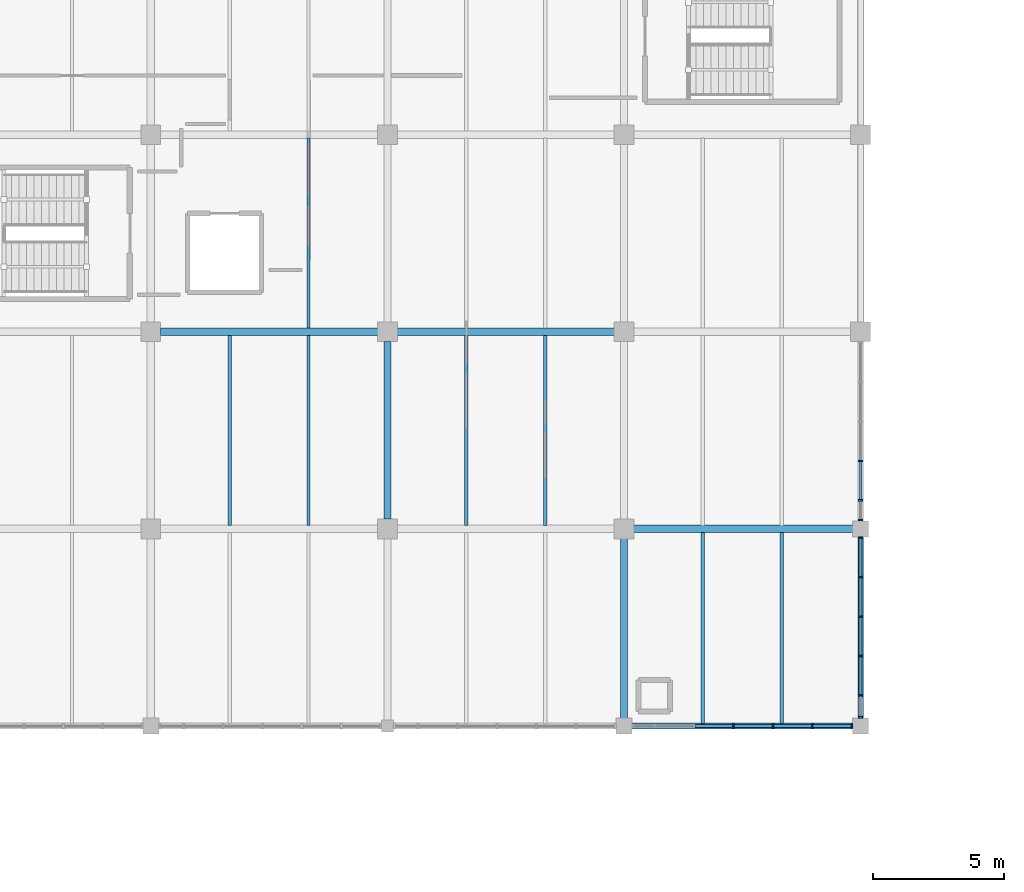
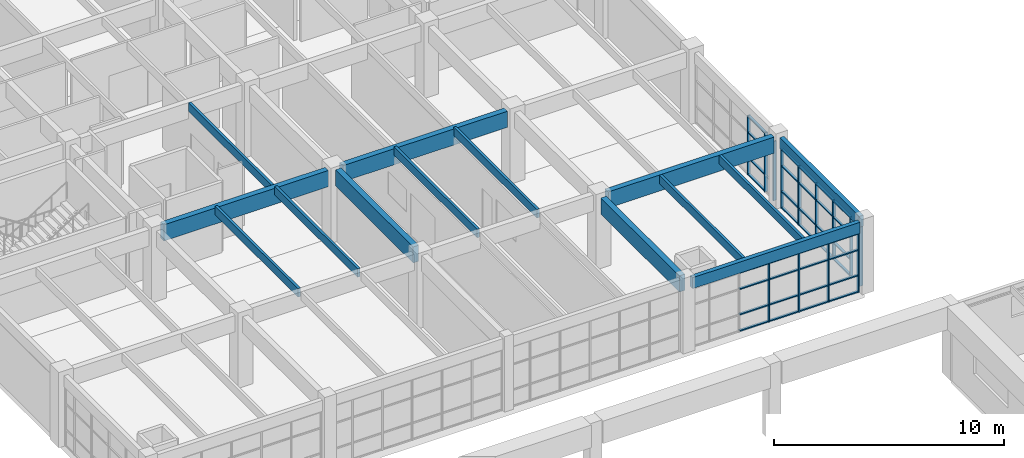
# One storey, part 24 of 76: 49 members, 14 beams, 3 elements without a shape of their own.
"""IFC4 building model written with IfcOpenShell, lengths in metres."""

from ifc_helpers import new_model, si_unit, direction, frame, origin, origin_2d, place, context, subcontext, project, spatial, rectangle, extrude, material, layer, layer_set, material_profile, profile_set, type_object, element, aggregate, save


model = new_model("IFC4")

# Units and contexts
model_context = context("Model", 3, precision=1e-05, world=origin(), true_north=direction((0.0, 1.0)))
body_context = subcontext(model_context, "Body", "Model", "MODEL_VIEW")
ifc_project = project(units=[si_unit("LENGTHUNIT", "METRE"), si_unit("AREAUNIT", "SQUARE_METRE"), si_unit("VOLUMEUNIT", "CUBIC_METRE"), si_unit("PLANEANGLEUNIT", "RADIAN"), si_unit("MASSUNIT", "GRAM", prefix="KILO")], contexts=[model_context])

# Site, building, storey
site_placement = place(None, origin())
site = spatial("IfcSite", under=ifc_project, at=site_placement, CompositionType="ELEMENT")
building_placement = place(site_placement, origin())
building = spatial("IfcBuilding", under=site, at=building_placement, Name="Marnridge Secondary College", CompositionType="ELEMENT")
storey_placement = place(building_placement, frame((0.0, 0.0, 4.5)))
storey = spatial("IfcBuildingStorey", under=building, at=storey_placement, Name="L01", CompositionType="ELEMENT", Elevation=4.5)

# Beams
ifc_material_1 = material(Name="Glulam timber GL18", Category="wood")
ifc_material_profile_1 = material_profile(ifc_material_1, rectangle(XDim=0.215087890625, YDim=0.5849609375, at=origin_2d()), Name="GL18 215x585")
ifc_profile_set_1 = profile_set([ifc_material_profile_1], Name="Glulam timber GL18")
beam_type_1 = type_object("IfcBeamType", Name="BM-GL585-EXT", PredefinedType="SPANDREL", material=ifc_profile_set_1)
beam_1_placement = place(storey_placement, frame((81.2939453125, 37.5, 3.447509765625), z_axis=(1.0, 0.0, 0.0), x_axis=(0.0, 1.0, 0.0)))
element("IfcBeam", 1, at=beam_1_placement, inside=storey, type_object=beam_type_1, Name="Beam BS-L01-0453", PredefinedType="SPANDREL", context=body_context, shape_type="SweptSolid", body=[
    extrude(rectangle(XDim=0.215087890625, YDim=0.5849609375, at=origin_2d()), origin(), (0.0, 0.0, 1.0), 8.412109375),
])
beam_2_placement = place(storey_placement, frame((90.0, 37.7939453125, 3.447509765625), z_axis=(0.0, 1.0, 0.0), x_axis=(-1.0, 0.0, 0.0)))
element("IfcBeam", 2, at=beam_2_placement, inside=storey, type_object=beam_type_1, Name="Beam BS-L01-0456", PredefinedType="SPANDREL", context=body_context, shape_type="SweptSolid", body=[
    extrude(rectangle(XDim=0.215087890625, YDim=0.5849609375, at=origin_2d()), origin(), (0.0, 0.0, 1.0), 6.912109375),
])
ifc_material_2 = material(Name="Glulam timber GL18", Category="wood")
ifc_material_profile_2 = material_profile(ifc_material_2, rectangle(XDim=0.280029296875, YDim=0.85498046875, at=origin_2d()), Name="GL18 280x855")
ifc_profile_set_2 = profile_set([ifc_material_profile_2], Name="Glulam timber GL18")
beam_type_2 = type_object("IfcBeamType", Name="BM-GL855-INT", PredefinedType="BEAM", material=ifc_profile_set_2)
for number, where, z_axis, x_axis, name in (
    (3, (63.368896484375, 52.5, 3.3125), (1.0, 0.0, 0.0), (0.0, 1.0, 0.0), "Beam B-L01-0435"),
    (4, (72.368896484375, 52.5, 3.3125), (1.0, 0.0, 0.0), (0.0, 1.0, 0.0), "Beam B-L01-0444"),
):
    element("IfcBeam", number, at=place(storey_placement, frame(where, z_axis=z_axis, x_axis=x_axis)), inside=storey, type_object=beam_type_2, Name=name, PredefinedType="BEAM", context=body_context, shape_type="SweptSolid", body=[
        extrude(rectangle(XDim=0.280029296875, YDim=0.85498046875, at=origin_2d()), origin(), (0.0, 0.0, 1.0), 8.26220703125),
    ])
beam_3_placement = place(storey_placement, frame((81.368896484375, 45.0, 3.3125), z_axis=(1.0, 0.0, 0.0), x_axis=(0.0, 1.0, 0.0)))
element("IfcBeam", 5, at=beam_3_placement, inside=storey, type_object=beam_type_2, Name="Beam B-L01-0454", PredefinedType="BEAM", context=body_context, shape_type="SweptSolid", body=[
    extrude(rectangle(XDim=0.280029296875, YDim=0.85498046875, at=origin_2d()), origin(), (0.0, 0.0, 1.0), 8.337158203125),
])
beam_4_placement = place(storey_placement, frame((81.0, 37.7939453125, 3.3125), z_axis=(0.0, 1.0, 0.0), x_axis=(-1.0, 0.0, 0.0)))
element("IfcBeam", 6, at=beam_4_placement, inside=storey, type_object=beam_type_2, Name="Beam B-L01-0455", PredefinedType="BEAM", context=body_context, shape_type="SweptSolid", body=[
    extrude(rectangle(XDim=0.280029296875, YDim=0.85498046875, at=origin_2d()), origin(), (0.0, 0.0, 1.0), 6.837158203125),
])
beam_5_placement = place(storey_placement, frame((72.0, 45.368896484375, 3.41259765625), z_axis=(0.0, 1.0, 0.0), x_axis=(-1.0, 0.0, 0.0)))
element("IfcBeam", 7, at=beam_5_placement, inside=storey, type_object=beam_type_2, Name="Beam B-L01-0471", PredefinedType="BEAM", context=body_context, shape_type="SweptSolid", body=[
    extrude(rectangle(XDim=0.280029296875, YDim=0.85498046875, at=origin_2d()), origin(), (0.0, 0.0, 1.0), 6.76220703125),
])
ifc_material_3 = material(Name="Engineered timber LVL E13.2", Category="wood")
ifc_material_profile_3 = material_profile(ifc_material_3, rectangle(XDim=0.1259765625, YDim=0.449951171875, at=origin_2d()), Name="LVL 126x450")
ifc_profile_set_3 = profile_set([ifc_material_profile_3], Name="Engineered timber LVL E13.2")
beam_type_3 = type_object("IfcBeamType", Name="BM-LVL450-INT", PredefinedType="JOIST", material=ifc_profile_set_3)
beam_6_placement = place(storey_placement, frame((69.0, 52.634033203125, 3.514892578125), z_axis=(0.0, 1.0, 0.0), x_axis=(-1.0, 0.0, 0.0)))
element("IfcBeam", 8, at=beam_6_placement, inside=storey, type_object=beam_type_3, Name="Beam BJ-L01-0484", PredefinedType="JOIST", context=body_context, shape_type="SweptSolid", body=[
    extrude(rectangle(XDim=0.1259765625, YDim=0.449951171875, at=origin_2d()), origin(), (0.0, 0.0, 1.0), 7.23193359375),
])
for number, where, z_axis, x_axis, name in (
    (9, (84.0, 37.6015625, 3.514892578125), (0.0, 1.0, 0.0), (-1.0, 0.0, 0.0), "Beam BJ-L01-0499"),
    (10, (87.0, 37.6015625, 3.514892578125), (0.0, 1.0, 0.0), (-1.0, 0.0, 0.0), "Beam BJ-L01-0500"),
):
    element("IfcBeam", number, at=place(storey_placement, frame(where, z_axis=z_axis, x_axis=x_axis)), inside=storey, type_object=beam_type_3, Name=name, PredefinedType="JOIST", context=body_context, shape_type="SweptSolid", body=[
        extrude(rectangle(XDim=0.1259765625, YDim=0.449951171875, at=origin_2d()), origin(), (0.0, 0.0, 1.0), 7.264404296875),
    ])
for number, where, z_axis, x_axis, name in (
    (11, (66.0, 45.134033203125, 3.614990234375), (0.0, 1.0, 0.0), (-1.0, 0.0, 0.0), "Beam BJ-L01-0511"),
    (12, (69.0, 45.134033203125, 3.614990234375), (0.0, 1.0, 0.0), (-1.0, 0.0, 0.0), "Beam BJ-L01-0512"),
    (13, (75.0, 45.134033203125, 3.614990234375), (0.0, 1.0, 0.0), (-1.0, 0.0, 0.0), "Beam BJ-L01-0515"),
    (14, (78.0, 45.134033203125, 3.614990234375), (0.0, 1.0, 0.0), (-1.0, 0.0, 0.0), "Beam BJ-L01-0516"),
):
    element("IfcBeam", number, at=place(storey_placement, frame(where, z_axis=z_axis, x_axis=x_axis)), inside=storey, type_object=beam_type_3, Name=name, PredefinedType="JOIST", context=body_context, shape_type="SweptSolid", body=[
        extrude(rectangle(XDim=0.1259765625, YDim=0.449951171875, at=origin_2d()), origin(), (0.0, 0.0, 1.0), 7.23193359375),
    ])

# Curtain wall, members
ifc_material_4 = material(Name="Thermally broken aluminium and low-E glazing", Category="aluminium")
ifc_layer = layer(ifc_material_4, 0.159912109375)
ifc_layer_set = layer_set([ifc_layer], Name="CW-MOD-1500")
curtain_wall_type = type_object("IfcCurtainWallType", Name="CW-MOD-1500", PredefinedType="NOTDEFINED", material=ifc_layer_set)
curtain_wall_1_placement = place(storey_placement, origin())
curtain_wall_1 = element("IfcCurtainWall", 15, at=curtain_wall_1_placement, inside=storey, type_object=curtain_wall_type, Name="Unitised curtain wall CW-L01-033", PredefinedType="NOTDEFINED")
ifc_material_5 = material(Name="Anodised aluminium 6063-T6", Category="aluminium")
ifc_material_profile_4 = material_profile(ifc_material_5, rectangle(XDim=0.06005859375, YDim=0.159912109375, at=origin_2d()), Name="ALU 60x160")
ifc_profile_set_4 = profile_set([ifc_material_profile_4], Name="Anodised aluminium 6063-T6")
member_type_1 = type_object("IfcMemberType", Name="CWM-ALU160", PredefinedType="MULLION", material=ifc_profile_set_4)
member_1_placement = place(storey_placement, frame((90.0, 47.591064453125, 0.0), z_axis=(0.0, 0.0, 1.0), x_axis=(0.0, -1.0, 0.0)))
member_1 = element("IfcMember", 16, at=member_1_placement, type_object=member_type_1, Name="CW-L01-033 mullion 4", PredefinedType="MULLION", context=body_context, shape_type="SweptSolid", body=[
    extrude(rectangle(XDim=0.06005859375, YDim=0.159912109375, at=origin_2d()), origin(), (0.0, 0.0, 1.0), 3.14697265625),
])
member_2_placement = place(storey_placement, frame((90.0, 46.091064453125, 0.0), z_axis=(0.0, 0.0, 1.0), x_axis=(0.0, -1.0, 0.0)))
member_2 = element("IfcMember", 17, at=member_2_placement, type_object=member_type_1, Name="CW-L01-033 mullion 5", PredefinedType="MULLION", context=body_context, shape_type="SweptSolid", body=[
    extrude(rectangle(XDim=0.06005859375, YDim=0.159912109375, at=origin_2d()), origin(), (0.0, 0.0, 1.0), 3.14697265625),
])
member_3_placement = place(storey_placement, frame((90.0, 45.333984375, 0.0), z_axis=(0.0, 0.0, 1.0), x_axis=(0.0, -1.0, 0.0)))
member_3 = element("IfcMember", 18, at=member_3_placement, type_object=member_type_1, Name="CW-L01-033 mullion 6", PredefinedType="MULLION", context=body_context, shape_type="SweptSolid", body=[
    extrude(rectangle(XDim=0.06005859375, YDim=0.159912109375, at=origin_2d()), origin(), (0.0, 0.0, 1.0), 3.14697265625),
])

curtain_wall_2_placement = place(storey_placement, origin())
curtain_wall_2 = element("IfcCurtainWall", 19, at=curtain_wall_2_placement, inside=storey, type_object=curtain_wall_type, Name="Unitised curtain wall CW-L01-034", PredefinedType="NOTDEFINED")
member_4_placement = place(storey_placement, frame((90.0, 44.666015625, 0.0), z_axis=(0.0, 0.0, 1.0), x_axis=(0.0, -1.0, 0.0)))
member_4 = element("IfcMember", 20, at=member_4_placement, type_object=member_type_1, Name="CW-L01-034 mullion 1", PredefinedType="MULLION", context=body_context, shape_type="SweptSolid", body=[
    extrude(rectangle(XDim=0.06005859375, YDim=0.159912109375, at=origin_2d()), origin(), (0.0, 0.0, 1.0), 3.14697265625),
])
member_5_placement = place(storey_placement, frame((90.0, 43.166015625, 0.0), z_axis=(0.0, 0.0, 1.0), x_axis=(0.0, -1.0, 0.0)))
member_5 = element("IfcMember", 21, at=member_5_placement, type_object=member_type_1, Name="CW-L01-034 mullion 2", PredefinedType="MULLION", context=body_context, shape_type="SweptSolid", body=[
    extrude(rectangle(XDim=0.06005859375, YDim=0.159912109375, at=origin_2d()), origin(), (0.0, 0.0, 1.0), 3.14697265625),
])
member_6_placement = place(storey_placement, frame((90.0, 41.666015625, 0.0), z_axis=(0.0, 0.0, 1.0), x_axis=(0.0, -1.0, 0.0)))
member_6 = element("IfcMember", 22, at=member_6_placement, type_object=member_type_1, Name="CW-L01-034 mullion 3", PredefinedType="MULLION", context=body_context, shape_type="SweptSolid", body=[
    extrude(rectangle(XDim=0.06005859375, YDim=0.159912109375, at=origin_2d()), origin(), (0.0, 0.0, 1.0), 3.14697265625),
])
member_7_placement = place(storey_placement, frame((90.0, 40.166015625, 0.0), z_axis=(0.0, 0.0, 1.0), x_axis=(0.0, -1.0, 0.0)))
member_7 = element("IfcMember", 23, at=member_7_placement, type_object=member_type_1, Name="CW-L01-034 mullion 4", PredefinedType="MULLION", context=body_context, shape_type="SweptSolid", body=[
    extrude(rectangle(XDim=0.06005859375, YDim=0.159912109375, at=origin_2d()), origin(), (0.0, 0.0, 1.0), 3.14697265625),
])
member_8_placement = place(storey_placement, frame((90.0, 38.666015625, 0.0), z_axis=(0.0, 0.0, 1.0), x_axis=(0.0, -1.0, 0.0)))
member_8 = element("IfcMember", 24, at=member_8_placement, type_object=member_type_1, Name="CW-L01-034 mullion 5", PredefinedType="MULLION", context=body_context, shape_type="SweptSolid", body=[
    extrude(rectangle(XDim=0.06005859375, YDim=0.159912109375, at=origin_2d()), origin(), (0.0, 0.0, 1.0), 3.14697265625),
])
member_9_placement = place(storey_placement, frame((90.0, 37.833984375, 0.0), z_axis=(0.0, 0.0, 1.0), x_axis=(0.0, -1.0, 0.0)))
member_9 = element("IfcMember", 25, at=member_9_placement, type_object=member_type_1, Name="CW-L01-034 mullion 6", PredefinedType="MULLION", context=body_context, shape_type="SweptSolid", body=[
    extrude(rectangle(XDim=0.06005859375, YDim=0.159912109375, at=origin_2d()), origin(), (0.0, 0.0, 1.0), 3.14697265625),
])

curtain_wall_3_placement = place(storey_placement, origin())
curtain_wall_3 = element("IfcCurtainWall", 26, at=curtain_wall_3_placement, inside=storey, type_object=curtain_wall_type, Name="Unitised curtain wall CW-L01-035", PredefinedType="NOTDEFINED")
member_10_placement = place(storey_placement, frame((89.666015625, 37.5, 0.0), z_axis=(0.0, 0.0, 1.0), x_axis=(-1.0, 0.0, 0.0)))
member_10 = element("IfcMember", 27, at=member_10_placement, type_object=member_type_1, Name="CW-L01-035 mullion 1", PredefinedType="MULLION", context=body_context, shape_type="SweptSolid", body=[
    extrude(rectangle(XDim=0.06005859375, YDim=0.159912109375, at=origin_2d()), origin(), (0.0, 0.0, 1.0), 3.14697265625),
])
member_11_placement = place(storey_placement, frame((88.166015625, 37.5, 0.0), z_axis=(0.0, 0.0, 1.0), x_axis=(-1.0, 0.0, 0.0)))
member_11 = element("IfcMember", 28, at=member_11_placement, type_object=member_type_1, Name="CW-L01-035 mullion 2", PredefinedType="MULLION", context=body_context, shape_type="SweptSolid", body=[
    extrude(rectangle(XDim=0.06005859375, YDim=0.159912109375, at=origin_2d()), origin(), (0.0, 0.0, 1.0), 3.14697265625),
])
member_12_placement = place(storey_placement, frame((86.666015625, 37.5, 0.0), z_axis=(0.0, 0.0, 1.0), x_axis=(-1.0, 0.0, 0.0)))
member_12 = element("IfcMember", 29, at=member_12_placement, type_object=member_type_1, Name="CW-L01-035 mullion 3", PredefinedType="MULLION", context=body_context, shape_type="SweptSolid", body=[
    extrude(rectangle(XDim=0.06005859375, YDim=0.159912109375, at=origin_2d()), origin(), (0.0, 0.0, 1.0), 3.14697265625),
])
member_13_placement = place(storey_placement, frame((85.166015625, 37.5, 0.0), z_axis=(0.0, 0.0, 1.0), x_axis=(-1.0, 0.0, 0.0)))
member_13 = element("IfcMember", 30, at=member_13_placement, type_object=member_type_1, Name="CW-L01-035 mullion 4", PredefinedType="MULLION", context=body_context, shape_type="SweptSolid", body=[
    extrude(rectangle(XDim=0.06005859375, YDim=0.159912109375, at=origin_2d()), origin(), (0.0, 0.0, 1.0), 3.14697265625),
])

# Member
ifc_material_6 = material(Name="Anodised aluminium 6063-T6", Category="aluminium")
ifc_material_profile_5 = material_profile(ifc_material_6, rectangle(XDim=0.06005859375, YDim=0.1201171875, at=origin_2d()), Name="ALU 60x120")
ifc_profile_set_5 = profile_set([ifc_material_profile_5], Name="Anodised aluminium 6063-T6")
member_type_2 = type_object("IfcMemberType", Name="CWT-ALU120", PredefinedType="USERDEFINED", material=ifc_profile_set_5)
member_14_placement = place(storey_placement, frame((90.0, 47.56103515625, 0.030029296875), z_axis=(0.0, -1.0, 0.0), x_axis=(0.0, 0.0, 1.0)))
member_14 = element("IfcMember", 31, at=member_14_placement, type_object=member_type_2, Name="CW-L01-033 transom 4.1", ObjectType="TRANSOM", PredefinedType="USERDEFINED", context=body_context, shape_type="SweptSolid", body=[
    extrude(rectangle(XDim=0.06005859375, YDim=0.1201171875, at=origin_2d()), origin(), (0.0, 0.0, 1.0), 1.43994140625),
])

member_15_placement = place(storey_placement, frame((90.0, 47.56103515625, 0.89990234375), z_axis=(0.0, -1.0, 0.0), x_axis=(0.0, 0.0, 1.0)))
member_15 = element("IfcMember", 32, at=member_15_placement, type_object=member_type_2, Name="CW-L01-033 transom 4.2", ObjectType="TRANSOM", PredefinedType="USERDEFINED", context=body_context, shape_type="SweptSolid", body=[
    extrude(rectangle(XDim=0.06005859375, YDim=0.1201171875, at=origin_2d()), origin(), (0.0, 0.0, 1.0), 1.43994140625),
])

member_16_placement = place(storey_placement, frame((90.0, 47.56103515625, 2.25), z_axis=(0.0, -1.0, 0.0), x_axis=(0.0, 0.0, 1.0)))
member_16 = element("IfcMember", 33, at=member_16_placement, type_object=member_type_2, Name="CW-L01-033 transom 4.3", ObjectType="TRANSOM", PredefinedType="USERDEFINED", context=body_context, shape_type="SweptSolid", body=[
    extrude(rectangle(XDim=0.06005859375, YDim=0.1201171875, at=origin_2d()), origin(), (0.0, 0.0, 1.0), 1.43994140625),
])

member_17_placement = place(storey_placement, frame((90.0, 47.56103515625, 3.116943359375), z_axis=(0.0, -1.0, 0.0), x_axis=(0.0, 0.0, 1.0)))
member_17 = element("IfcMember", 34, at=member_17_placement, type_object=member_type_2, Name="CW-L01-033 transom 4.4", ObjectType="TRANSOM", PredefinedType="USERDEFINED", context=body_context, shape_type="SweptSolid", body=[
    extrude(rectangle(XDim=0.06005859375, YDim=0.1201171875, at=origin_2d()), origin(), (0.0, 0.0, 1.0), 1.43994140625),
])

aggregate(curtain_wall_1, [member_1, member_2, member_3, member_14, member_15, member_16, member_17])

member_18_placement = place(storey_placement, frame((90.0, 44.635986328125, 0.030029296875), z_axis=(0.0, -1.0, 0.0), x_axis=(0.0, 0.0, 1.0)))
member_18 = element("IfcMember", 35, at=member_18_placement, type_object=member_type_2, Name="CW-L01-034 transom 1.1", ObjectType="TRANSOM", PredefinedType="USERDEFINED", context=body_context, shape_type="SweptSolid", body=[
    extrude(rectangle(XDim=0.06005859375, YDim=0.1201171875, at=origin_2d()), origin(), (0.0, 0.0, 1.0), 1.43994140625),
])

member_19_placement = place(storey_placement, frame((90.0, 44.635986328125, 0.89990234375), z_axis=(0.0, -1.0, 0.0), x_axis=(0.0, 0.0, 1.0)))
member_19 = element("IfcMember", 36, at=member_19_placement, type_object=member_type_2, Name="CW-L01-034 transom 1.2", ObjectType="TRANSOM", PredefinedType="USERDEFINED", context=body_context, shape_type="SweptSolid", body=[
    extrude(rectangle(XDim=0.06005859375, YDim=0.1201171875, at=origin_2d()), origin(), (0.0, 0.0, 1.0), 1.43994140625),
])

member_20_placement = place(storey_placement, frame((90.0, 44.635986328125, 2.25), z_axis=(0.0, -1.0, 0.0), x_axis=(0.0, 0.0, 1.0)))
member_20 = element("IfcMember", 37, at=member_20_placement, type_object=member_type_2, Name="CW-L01-034 transom 1.3", ObjectType="TRANSOM", PredefinedType="USERDEFINED", context=body_context, shape_type="SweptSolid", body=[
    extrude(rectangle(XDim=0.06005859375, YDim=0.1201171875, at=origin_2d()), origin(), (0.0, 0.0, 1.0), 1.43994140625),
])

member_21_placement = place(storey_placement, frame((90.0, 44.635986328125, 3.116943359375), z_axis=(0.0, -1.0, 0.0), x_axis=(0.0, 0.0, 1.0)))
member_21 = element("IfcMember", 38, at=member_21_placement, type_object=member_type_2, Name="CW-L01-034 transom 1.4", ObjectType="TRANSOM", PredefinedType="USERDEFINED", context=body_context, shape_type="SweptSolid", body=[
    extrude(rectangle(XDim=0.06005859375, YDim=0.1201171875, at=origin_2d()), origin(), (0.0, 0.0, 1.0), 1.43994140625),
])

member_22_placement = place(storey_placement, frame((90.0, 43.135986328125, 0.030029296875), z_axis=(0.0, -1.0, 0.0), x_axis=(0.0, 0.0, 1.0)))
member_22 = element("IfcMember", 39, at=member_22_placement, type_object=member_type_2, Name="CW-L01-034 transom 2.1", ObjectType="TRANSOM", PredefinedType="USERDEFINED", context=body_context, shape_type="SweptSolid", body=[
    extrude(rectangle(XDim=0.06005859375, YDim=0.1201171875, at=origin_2d()), origin(), (0.0, 0.0, 1.0), 1.43994140625),
])

member_23_placement = place(storey_placement, frame((90.0, 43.135986328125, 0.89990234375), z_axis=(0.0, -1.0, 0.0), x_axis=(0.0, 0.0, 1.0)))
member_23 = element("IfcMember", 40, at=member_23_placement, type_object=member_type_2, Name="CW-L01-034 transom 2.2", ObjectType="TRANSOM", PredefinedType="USERDEFINED", context=body_context, shape_type="SweptSolid", body=[
    extrude(rectangle(XDim=0.06005859375, YDim=0.1201171875, at=origin_2d()), origin(), (0.0, 0.0, 1.0), 1.43994140625),
])

member_24_placement = place(storey_placement, frame((90.0, 43.135986328125, 2.25), z_axis=(0.0, -1.0, 0.0), x_axis=(0.0, 0.0, 1.0)))
member_24 = element("IfcMember", 41, at=member_24_placement, type_object=member_type_2, Name="CW-L01-034 transom 2.3", ObjectType="TRANSOM", PredefinedType="USERDEFINED", context=body_context, shape_type="SweptSolid", body=[
    extrude(rectangle(XDim=0.06005859375, YDim=0.1201171875, at=origin_2d()), origin(), (0.0, 0.0, 1.0), 1.43994140625),
])

member_25_placement = place(storey_placement, frame((90.0, 43.135986328125, 3.116943359375), z_axis=(0.0, -1.0, 0.0), x_axis=(0.0, 0.0, 1.0)))
member_25 = element("IfcMember", 42, at=member_25_placement, type_object=member_type_2, Name="CW-L01-034 transom 2.4", ObjectType="TRANSOM", PredefinedType="USERDEFINED", context=body_context, shape_type="SweptSolid", body=[
    extrude(rectangle(XDim=0.06005859375, YDim=0.1201171875, at=origin_2d()), origin(), (0.0, 0.0, 1.0), 1.43994140625),
])

member_26_placement = place(storey_placement, frame((90.0, 41.635986328125, 0.030029296875), z_axis=(0.0, -1.0, 0.0), x_axis=(0.0, 0.0, 1.0)))
member_26 = element("IfcMember", 43, at=member_26_placement, type_object=member_type_2, Name="CW-L01-034 transom 3.1", ObjectType="TRANSOM", PredefinedType="USERDEFINED", context=body_context, shape_type="SweptSolid", body=[
    extrude(rectangle(XDim=0.06005859375, YDim=0.1201171875, at=origin_2d()), origin(), (0.0, 0.0, 1.0), 1.43994140625),
])

member_27_placement = place(storey_placement, frame((90.0, 41.635986328125, 0.89990234375), z_axis=(0.0, -1.0, 0.0), x_axis=(0.0, 0.0, 1.0)))
member_27 = element("IfcMember", 44, at=member_27_placement, type_object=member_type_2, Name="CW-L01-034 transom 3.2", ObjectType="TRANSOM", PredefinedType="USERDEFINED", context=body_context, shape_type="SweptSolid", body=[
    extrude(rectangle(XDim=0.06005859375, YDim=0.1201171875, at=origin_2d()), origin(), (0.0, 0.0, 1.0), 1.43994140625),
])

member_28_placement = place(storey_placement, frame((90.0, 41.635986328125, 2.25), z_axis=(0.0, -1.0, 0.0), x_axis=(0.0, 0.0, 1.0)))
member_28 = element("IfcMember", 45, at=member_28_placement, type_object=member_type_2, Name="CW-L01-034 transom 3.3", ObjectType="TRANSOM", PredefinedType="USERDEFINED", context=body_context, shape_type="SweptSolid", body=[
    extrude(rectangle(XDim=0.06005859375, YDim=0.1201171875, at=origin_2d()), origin(), (0.0, 0.0, 1.0), 1.43994140625),
])

member_29_placement = place(storey_placement, frame((90.0, 41.635986328125, 3.116943359375), z_axis=(0.0, -1.0, 0.0), x_axis=(0.0, 0.0, 1.0)))
member_29 = element("IfcMember", 46, at=member_29_placement, type_object=member_type_2, Name="CW-L01-034 transom 3.4", ObjectType="TRANSOM", PredefinedType="USERDEFINED", context=body_context, shape_type="SweptSolid", body=[
    extrude(rectangle(XDim=0.06005859375, YDim=0.1201171875, at=origin_2d()), origin(), (0.0, 0.0, 1.0), 1.43994140625),
])

member_30_placement = place(storey_placement, frame((90.0, 40.135986328125, 0.030029296875), z_axis=(0.0, -1.0, 0.0), x_axis=(0.0, 0.0, 1.0)))
member_30 = element("IfcMember", 47, at=member_30_placement, type_object=member_type_2, Name="CW-L01-034 transom 4.1", ObjectType="TRANSOM", PredefinedType="USERDEFINED", context=body_context, shape_type="SweptSolid", body=[
    extrude(rectangle(XDim=0.06005859375, YDim=0.1201171875, at=origin_2d()), origin(), (0.0, 0.0, 1.0), 1.43994140625),
])

member_31_placement = place(storey_placement, frame((90.0, 40.135986328125, 0.89990234375), z_axis=(0.0, -1.0, 0.0), x_axis=(0.0, 0.0, 1.0)))
member_31 = element("IfcMember", 48, at=member_31_placement, type_object=member_type_2, Name="CW-L01-034 transom 4.2", ObjectType="TRANSOM", PredefinedType="USERDEFINED", context=body_context, shape_type="SweptSolid", body=[
    extrude(rectangle(XDim=0.06005859375, YDim=0.1201171875, at=origin_2d()), origin(), (0.0, 0.0, 1.0), 1.43994140625),
])

member_32_placement = place(storey_placement, frame((90.0, 40.135986328125, 2.25), z_axis=(0.0, -1.0, 0.0), x_axis=(0.0, 0.0, 1.0)))
member_32 = element("IfcMember", 49, at=member_32_placement, type_object=member_type_2, Name="CW-L01-034 transom 4.3", ObjectType="TRANSOM", PredefinedType="USERDEFINED", context=body_context, shape_type="SweptSolid", body=[
    extrude(rectangle(XDim=0.06005859375, YDim=0.1201171875, at=origin_2d()), origin(), (0.0, 0.0, 1.0), 1.43994140625),
])

member_33_placement = place(storey_placement, frame((90.0, 40.135986328125, 3.116943359375), z_axis=(0.0, -1.0, 0.0), x_axis=(0.0, 0.0, 1.0)))
member_33 = element("IfcMember", 50, at=member_33_placement, type_object=member_type_2, Name="CW-L01-034 transom 4.4", ObjectType="TRANSOM", PredefinedType="USERDEFINED", context=body_context, shape_type="SweptSolid", body=[
    extrude(rectangle(XDim=0.06005859375, YDim=0.1201171875, at=origin_2d()), origin(), (0.0, 0.0, 1.0), 1.43994140625),
])

aggregate(curtain_wall_2, [member_4, member_5, member_6, member_7, member_8, member_9, member_18, member_19, member_20, member_21, member_22, member_23, member_24, member_25, member_26, member_27, member_28, member_29, member_30, member_31, member_32, member_33])

member_34_placement = place(storey_placement, frame((89.635986328125, 37.5, 0.030029296875), z_axis=(-1.0, 0.0, 0.0), x_axis=(0.0, 0.0, 1.0)))
member_34 = element("IfcMember", 51, at=member_34_placement, type_object=member_type_2, Name="CW-L01-035 transom 1.1", ObjectType="TRANSOM", PredefinedType="USERDEFINED", context=body_context, shape_type="SweptSolid", body=[
    extrude(rectangle(XDim=0.06005859375, YDim=0.1201171875, at=origin_2d()), origin(), (0.0, 0.0, 1.0), 1.43994140625),
])

member_35_placement = place(storey_placement, frame((89.635986328125, 37.5, 0.89990234375), z_axis=(-1.0, 0.0, 0.0), x_axis=(0.0, 0.0, 1.0)))
member_35 = element("IfcMember", 52, at=member_35_placement, type_object=member_type_2, Name="CW-L01-035 transom 1.2", ObjectType="TRANSOM", PredefinedType="USERDEFINED", context=body_context, shape_type="SweptSolid", body=[
    extrude(rectangle(XDim=0.06005859375, YDim=0.1201171875, at=origin_2d()), origin(), (0.0, 0.0, 1.0), 1.43994140625),
])

member_36_placement = place(storey_placement, frame((89.635986328125, 37.5, 2.25), z_axis=(-1.0, 0.0, 0.0), x_axis=(0.0, 0.0, 1.0)))
member_36 = element("IfcMember", 53, at=member_36_placement, type_object=member_type_2, Name="CW-L01-035 transom 1.3", ObjectType="TRANSOM", PredefinedType="USERDEFINED", context=body_context, shape_type="SweptSolid", body=[
    extrude(rectangle(XDim=0.06005859375, YDim=0.1201171875, at=origin_2d()), origin(), (0.0, 0.0, 1.0), 1.43994140625),
])

member_37_placement = place(storey_placement, frame((89.635986328125, 37.5, 3.116943359375), z_axis=(-1.0, 0.0, 0.0), x_axis=(0.0, 0.0, 1.0)))
member_37 = element("IfcMember", 54, at=member_37_placement, type_object=member_type_2, Name="CW-L01-035 transom 1.4", ObjectType="TRANSOM", PredefinedType="USERDEFINED", context=body_context, shape_type="SweptSolid", body=[
    extrude(rectangle(XDim=0.06005859375, YDim=0.1201171875, at=origin_2d()), origin(), (0.0, 0.0, 1.0), 1.43994140625),
])

member_38_placement = place(storey_placement, frame((88.135986328125, 37.5, 0.030029296875), z_axis=(-1.0, 0.0, 0.0), x_axis=(0.0, 0.0, 1.0)))
member_38 = element("IfcMember", 55, at=member_38_placement, type_object=member_type_2, Name="CW-L01-035 transom 2.1", ObjectType="TRANSOM", PredefinedType="USERDEFINED", context=body_context, shape_type="SweptSolid", body=[
    extrude(rectangle(XDim=0.06005859375, YDim=0.1201171875, at=origin_2d()), origin(), (0.0, 0.0, 1.0), 1.43994140625),
])

member_39_placement = place(storey_placement, frame((88.135986328125, 37.5, 0.89990234375), z_axis=(-1.0, 0.0, 0.0), x_axis=(0.0, 0.0, 1.0)))
member_39 = element("IfcMember", 56, at=member_39_placement, type_object=member_type_2, Name="CW-L01-035 transom 2.2", ObjectType="TRANSOM", PredefinedType="USERDEFINED", context=body_context, shape_type="SweptSolid", body=[
    extrude(rectangle(XDim=0.06005859375, YDim=0.1201171875, at=origin_2d()), origin(), (0.0, 0.0, 1.0), 1.43994140625),
])

member_40_placement = place(storey_placement, frame((88.135986328125, 37.5, 2.25), z_axis=(-1.0, 0.0, 0.0), x_axis=(0.0, 0.0, 1.0)))
member_40 = element("IfcMember", 57, at=member_40_placement, type_object=member_type_2, Name="CW-L01-035 transom 2.3", ObjectType="TRANSOM", PredefinedType="USERDEFINED", context=body_context, shape_type="SweptSolid", body=[
    extrude(rectangle(XDim=0.06005859375, YDim=0.1201171875, at=origin_2d()), origin(), (0.0, 0.0, 1.0), 1.43994140625),
])

member_41_placement = place(storey_placement, frame((88.135986328125, 37.5, 3.116943359375), z_axis=(-1.0, 0.0, 0.0), x_axis=(0.0, 0.0, 1.0)))
member_41 = element("IfcMember", 58, at=member_41_placement, type_object=member_type_2, Name="CW-L01-035 transom 2.4", ObjectType="TRANSOM", PredefinedType="USERDEFINED", context=body_context, shape_type="SweptSolid", body=[
    extrude(rectangle(XDim=0.06005859375, YDim=0.1201171875, at=origin_2d()), origin(), (0.0, 0.0, 1.0), 1.43994140625),
])

member_42_placement = place(storey_placement, frame((86.635986328125, 37.5, 0.030029296875), z_axis=(-1.0, 0.0, 0.0), x_axis=(0.0, 0.0, 1.0)))
member_42 = element("IfcMember", 59, at=member_42_placement, type_object=member_type_2, Name="CW-L01-035 transom 3.1", ObjectType="TRANSOM", PredefinedType="USERDEFINED", context=body_context, shape_type="SweptSolid", body=[
    extrude(rectangle(XDim=0.06005859375, YDim=0.1201171875, at=origin_2d()), origin(), (0.0, 0.0, 1.0), 1.43994140625),
])

member_43_placement = place(storey_placement, frame((86.635986328125, 37.5, 0.89990234375), z_axis=(-1.0, 0.0, 0.0), x_axis=(0.0, 0.0, 1.0)))
member_43 = element("IfcMember", 60, at=member_43_placement, type_object=member_type_2, Name="CW-L01-035 transom 3.2", ObjectType="TRANSOM", PredefinedType="USERDEFINED", context=body_context, shape_type="SweptSolid", body=[
    extrude(rectangle(XDim=0.06005859375, YDim=0.1201171875, at=origin_2d()), origin(), (0.0, 0.0, 1.0), 1.43994140625),
])

member_44_placement = place(storey_placement, frame((86.635986328125, 37.5, 2.25), z_axis=(-1.0, 0.0, 0.0), x_axis=(0.0, 0.0, 1.0)))
member_44 = element("IfcMember", 61, at=member_44_placement, type_object=member_type_2, Name="CW-L01-035 transom 3.3", ObjectType="TRANSOM", PredefinedType="USERDEFINED", context=body_context, shape_type="SweptSolid", body=[
    extrude(rectangle(XDim=0.06005859375, YDim=0.1201171875, at=origin_2d()), origin(), (0.0, 0.0, 1.0), 1.43994140625),
])

member_45_placement = place(storey_placement, frame((86.635986328125, 37.5, 3.116943359375), z_axis=(-1.0, 0.0, 0.0), x_axis=(0.0, 0.0, 1.0)))
member_45 = element("IfcMember", 62, at=member_45_placement, type_object=member_type_2, Name="CW-L01-035 transom 3.4", ObjectType="TRANSOM", PredefinedType="USERDEFINED", context=body_context, shape_type="SweptSolid", body=[
    extrude(rectangle(XDim=0.06005859375, YDim=0.1201171875, at=origin_2d()), origin(), (0.0, 0.0, 1.0), 1.43994140625),
])

member_46_placement = place(storey_placement, frame((85.135986328125, 37.5, 0.030029296875), z_axis=(-1.0, 0.0, 0.0), x_axis=(0.0, 0.0, 1.0)))
member_46 = element("IfcMember", 63, at=member_46_placement, type_object=member_type_2, Name="CW-L01-035 transom 4.1", ObjectType="TRANSOM", PredefinedType="USERDEFINED", context=body_context, shape_type="SweptSolid", body=[
    extrude(rectangle(XDim=0.06005859375, YDim=0.1201171875, at=origin_2d()), origin(), (0.0, 0.0, 1.0), 1.43994140625),
])

member_47_placement = place(storey_placement, frame((85.135986328125, 37.5, 0.89990234375), z_axis=(-1.0, 0.0, 0.0), x_axis=(0.0, 0.0, 1.0)))
member_47 = element("IfcMember", 64, at=member_47_placement, type_object=member_type_2, Name="CW-L01-035 transom 4.2", ObjectType="TRANSOM", PredefinedType="USERDEFINED", context=body_context, shape_type="SweptSolid", body=[
    extrude(rectangle(XDim=0.06005859375, YDim=0.1201171875, at=origin_2d()), origin(), (0.0, 0.0, 1.0), 1.43994140625),
])

member_48_placement = place(storey_placement, frame((85.135986328125, 37.5, 2.25), z_axis=(-1.0, 0.0, 0.0), x_axis=(0.0, 0.0, 1.0)))
member_48 = element("IfcMember", 65, at=member_48_placement, type_object=member_type_2, Name="CW-L01-035 transom 4.3", ObjectType="TRANSOM", PredefinedType="USERDEFINED", context=body_context, shape_type="SweptSolid", body=[
    extrude(rectangle(XDim=0.06005859375, YDim=0.1201171875, at=origin_2d()), origin(), (0.0, 0.0, 1.0), 1.43994140625),
])

member_49_placement = place(storey_placement, frame((85.135986328125, 37.5, 3.116943359375), z_axis=(-1.0, 0.0, 0.0), x_axis=(0.0, 0.0, 1.0)))
member_49 = element("IfcMember", 66, at=member_49_placement, type_object=member_type_2, Name="CW-L01-035 transom 4.4", ObjectType="TRANSOM", PredefinedType="USERDEFINED", context=body_context, shape_type="SweptSolid", body=[
    extrude(rectangle(XDim=0.06005859375, YDim=0.1201171875, at=origin_2d()), origin(), (0.0, 0.0, 1.0), 1.43994140625),
])

aggregate(curtain_wall_3, [member_10, member_11, member_12, member_13, member_34, member_35, member_36, member_37, member_38, member_39, member_40, member_41, member_42, member_43, member_44, member_45, member_46, member_47, member_48, member_49])

save(model, "model.ifc")
